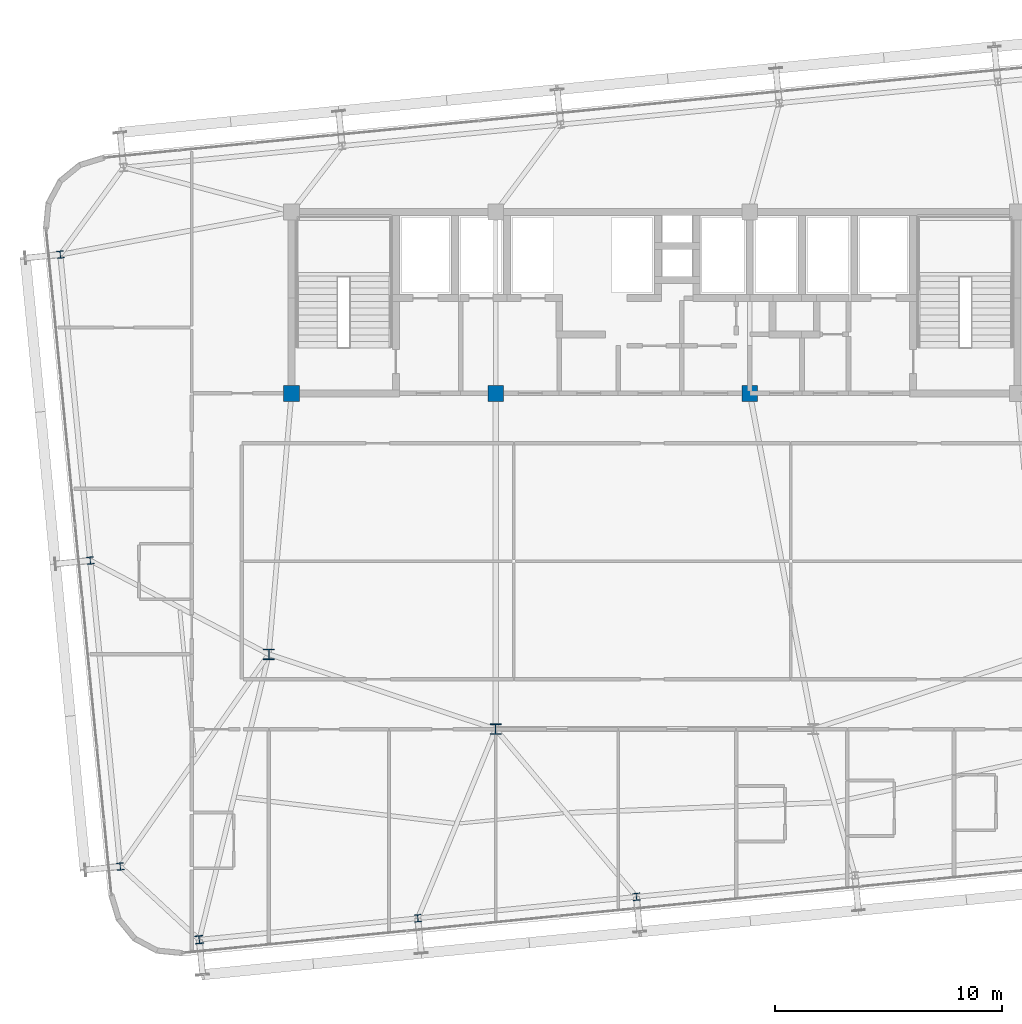
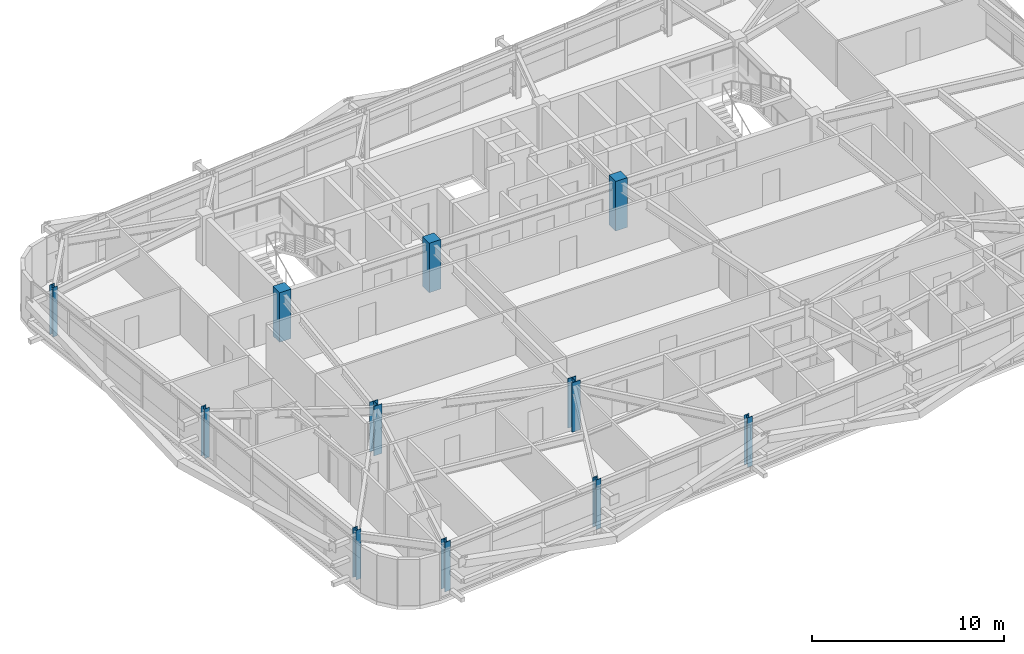
# One storey, part 1 of 54: 11 columns.
"""IFC4 building model written with IfcOpenShell, lengths in metres."""

from ifc_helpers import new_model, si_unit, direction, frame, origin, origin_2d, place, context, subcontext, project, spatial, rectangle, i_section, extrude, source, transform, mapped, material, material_profile, profile_set, type_object, element, save


model = new_model("IFC4")

# Units and contexts
model_context = context("Model", 3, precision=1e-05, world=origin(), true_north=direction((0.0, 1.0)))
body_context = subcontext(model_context, "Body", "Model", "MODEL_VIEW")
ifc_project = project(units=[si_unit("LENGTHUNIT", "METRE"), si_unit("AREAUNIT", "SQUARE_METRE"), si_unit("VOLUMEUNIT", "CUBIC_METRE"), si_unit("PLANEANGLEUNIT", "RADIAN"), si_unit("MASSUNIT", "GRAM", prefix="KILO")], contexts=[model_context])

# Site, building, storey
site_placement = place(None, origin())
site = spatial("IfcSite", under=ifc_project, at=site_placement, CompositionType="ELEMENT")
building_placement = place(site_placement, origin())
building = spatial("IfcBuilding", under=site, at=building_placement, Name="Taldren Reach Tower", CompositionType="ELEMENT")
storey_placement = place(building_placement, frame((0.0, 0.0, 102.89990234375)))
storey = spatial("IfcBuildingStorey", under=building, at=storey_placement, Name="L31", CompositionType="ELEMENT", Elevation=102.89990234375)

# Columns
ifc_material_1 = material(Name="Steel Gr 350 (350PLUS)", Category="steel")
ifc_material_profile_1 = material_profile(ifc_material_1, i_section(OverallWidth=0.5, OverallDepth=0.464111328125, WebThickness=0.02197265625, FlangeThickness=0.033935546875, at=origin_2d()), Name="500WC340")
ifc_profile_set_1 = profile_set([ifc_material_profile_1], Name="Steel Gr 350 (350PLUS)")
column_type_1 = type_object("IfcColumnType", Name="COL-WC500B", PredefinedType="COLUMN", material=ifc_profile_set_1)
shared_shape_1 = source(origin(), body_context, "Body", "SweptSolid", [
    extrude(i_section(OverallWidth=0.5, OverallDepth=0.464111328125, WebThickness=0.02197265625, FlangeThickness=0.033935546875, at=origin_2d()), origin(), (0.0, 0.0, 1.0), 3.150146484375),
])
for number, where, z_axis, x_axis, name in (
    (1, (28.0, 9.199951171875, 0.0), (0.0, 0.0, 1.0), (1.0, 0.0, 0.0), "Mega column MC-PJW L31"),
    (2, (18.0, 12.5, 0.0), (0.0, 0.0, 1.0), (1.0, 0.0, 0.0), "Mega column MC-SW L31"),
):
    element("IfcColumn", number, at=place(storey_placement, frame(where, z_axis=z_axis, x_axis=x_axis)), inside=storey, type_object=column_type_1, Name=name, PredefinedType="COLUMN", context=body_context, shape_type="MappedRepresentation", body=[
        mapped(shared_shape_1, transform((0.0, 0.0, 0.0), scale=1.0)),
    ])
ifc_material_2 = material(Name="Concrete S65 (65 MPa)", Category="concrete")
ifc_material_profile_2 = material_profile(ifc_material_2, rectangle(XDim=0.699951171875, YDim=0.699951171875, at=origin_2d()), Name="RC-700x700")
ifc_profile_set_2 = profile_set([ifc_material_profile_2], Name="Concrete S65 (65 MPa)")
column_type_2 = type_object("IfcColumnType", Name="COL-RC700", PredefinedType="COLUMN", material=ifc_profile_set_2)
shared_shape_2 = source(origin(), body_context, "Body", "SweptSolid", [
    extrude(rectangle(XDim=0.699951171875, YDim=0.699951171875, at=origin_2d()), origin(), (0.0, 0.0, 1.0), 3.150146484375),
])
for number, where, z_axis, x_axis, name in (
    (3, (19.0, 24.0, 0.0), (0.0, 0.0, 1.0), (1.0, 0.0, 0.0), "Mega column MC-C1 L31"),
    (4, (28.0, 24.0, 0.0), (0.0, 0.0, 1.0), (1.0, 0.0, 0.0), "Mega column MC-C2 L31"),
    (5, (39.199951171875, 24.0, 0.0), (0.0, 0.0, 1.0), (1.0, 0.0, 0.0), "Mega column MC-C3 L31"),
):
    element("IfcColumn", number, at=place(storey_placement, frame(where, z_axis=z_axis, x_axis=x_axis)), inside=storey, type_object=column_type_2, Name=name, PredefinedType="COLUMN", context=body_context, shape_type="MappedRepresentation", body=[
        mapped(shared_shape_2, transform((0.0, 0.0, 0.0), scale=1.0)),
    ])
ifc_material_profile_3 = material_profile(ifc_material_1, i_section(OverallWidth=0.35009765625, OverallDepth=0.35595703125, WebThickness=0.01806640625, FlangeThickness=0.028076171875, at=origin_2d()), Name="350WC197")
ifc_profile_set_3 = profile_set([ifc_material_profile_3], Name="Steel Gr 350 (350PLUS)")
column_type_3 = type_object("IfcColumnType", Name="COL-WC350", PredefinedType="COLUMN", material=ifc_profile_set_3)
shared_shape_3 = source(origin(), body_context, "Body", "SweptSolid", [
    extrude(i_section(OverallWidth=0.35009765625, OverallDepth=0.35595703125, WebThickness=0.01806640625, FlangeThickness=0.028076171875, at=origin_2d()), origin(), (0.0, 0.0, 1.0), 3.150146484375),
])
column_placement = place(storey_placement, frame((14.93408203125, -0.079833984375, 0.0), z_axis=(0.0, 0.0, 1.0), x_axis=(0.995227399982, 0.097582899759, 0.0)))
element("IfcColumn", 6, at=column_placement, inside=storey, type_object=column_type_3, Name="Block B2 perimeter column S1 L31", PredefinedType="COLUMN", context=body_context, shape_type="MappedRepresentation", body=[
    mapped(shared_shape_3, transform((0.0, 0.0, 0.0), scale=1.0)),
])
ifc_material_profile_4 = material_profile(ifc_material_1, i_section(OverallWidth=0.306884765625, OverallDepth=0.31494140625, WebThickness=0.011962890625, FlangeThickness=0.018798828125, at=origin_2d()), Name="310UC118")
ifc_profile_set_4 = profile_set([ifc_material_profile_4], Name="Steel Gr 350 (350PLUS)")
column_type_4 = type_object("IfcColumnType", Name="COL-UC310B", PredefinedType="COLUMN", material=ifc_profile_set_4)
shared_shape_4 = source(origin(), body_context, "Body", "SweptSolid", [
    extrude(i_section(OverallWidth=0.306884765625, OverallDepth=0.31494140625, WebThickness=0.011962890625, FlangeThickness=0.018798828125, at=origin_2d()), origin(), (0.0, 0.0, 1.0), 3.150146484375),
])
for number, where, z_axis, x_axis, name in (
    (7, (24.56787109375, 0.86474609375, 0.0), (0.0, 0.0, 1.0), (0.995227399982, 0.097582899759, 0.0), "Block B2 perimeter column S2 L31"),
    (8, (34.20166015625, 1.809326171875, 0.0), (0.0, 0.0, 1.0), (0.995227399982, 0.097582899759, 0.0), "Block B2 perimeter column S3 L31"),
    (9, (11.452880859375, 3.145751953125, 0.0), (0.0, 0.0, 1.0), (0.995227399982, 0.097582899759, 0.0), "Block B2 perimeter column W1 L31"),
    (10, (10.130615234375, 16.631103515625, 0.0), (0.0, 0.0, 1.0), (0.995227399982, 0.097582899759, 0.0), "Block B2 perimeter column W2 L31"),
    (11, (8.808349609375, 30.116455078125, 0.0), (0.0, 0.0, 1.0), (0.995227399982, 0.097582899759, 0.0), "Block B2 perimeter column W3 L31"),
):
    element("IfcColumn", number, at=place(storey_placement, frame(where, z_axis=z_axis, x_axis=x_axis)), inside=storey, type_object=column_type_4, Name=name, PredefinedType="COLUMN", context=body_context, shape_type="MappedRepresentation", body=[
        mapped(shared_shape_4, transform((0.0, 0.0, 0.0), scale=1.0)),
    ])

save(model, "model.ifc")
